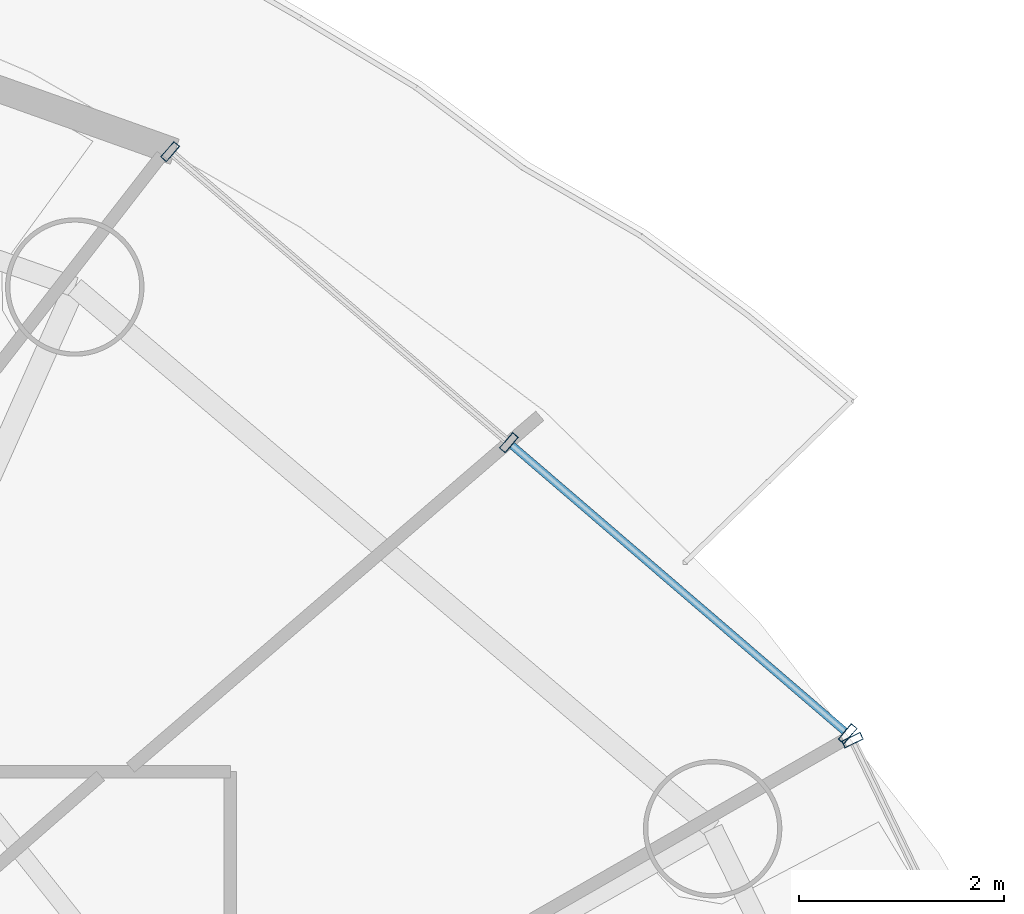
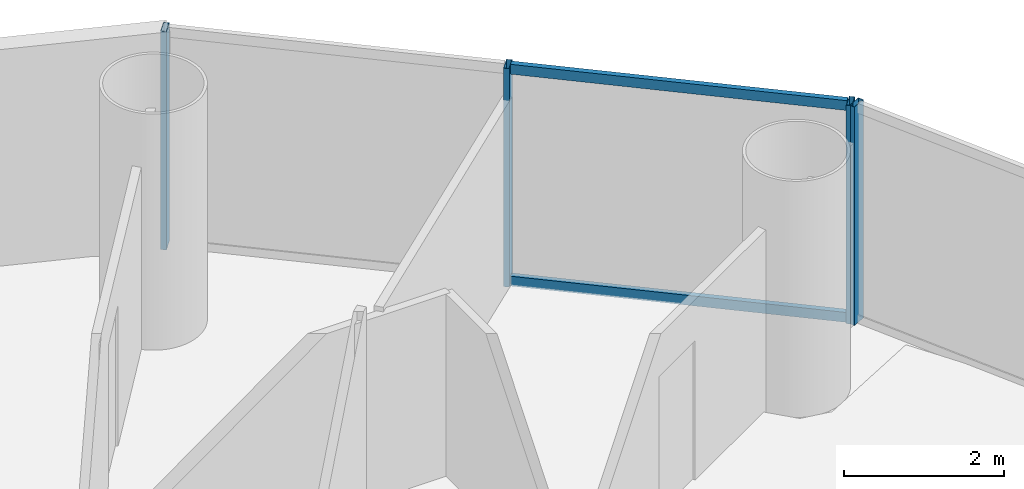
# One storey, part 19 of 27: 6 members, 2 elements without a shape of their own.
"""IFC4 building model written with IfcOpenShell, lengths in metres."""

from ifc_helpers import new_model, si_unit, direction, frame, origin, origin_2d, place, context, subcontext, project, spatial, hollow_rectangle, extrude, source, transform, mapped, material, material_profile, profile_set, type_object, element, aggregate, save


model = new_model("IFC4")

# Units and contexts
model_context = context("Model", 3, precision=1e-05, world=origin(), true_north=direction((-0.2419218956, 0.970295726276)))
body_context = subcontext(model_context, "Body", "Model", "MODEL_VIEW")
ifc_project = project(units=[si_unit("LENGTHUNIT", "METRE"), si_unit("AREAUNIT", "SQUARE_METRE"), si_unit("VOLUMEUNIT", "CUBIC_METRE"), si_unit("PLANEANGLEUNIT", "RADIAN"), si_unit("MASSUNIT", "GRAM", prefix="KILO")], contexts=[model_context])

# Site, building, storey
site_placement = place(None, origin())
site = spatial("IfcSite", under=ifc_project, at=site_placement, CompositionType="ELEMENT")
building_placement = place(site_placement, origin())
building = spatial("IfcBuilding", under=site, at=building_placement, Name="Cobrevalo Terracotta Tower", CompositionType="ELEMENT")
storey_placement = place(building_placement, frame((0.0, 0.0, 160.60009765625)))
storey = spatial("IfcBuildingStorey", under=building, at=storey_placement, Name="L42", CompositionType="ELEMENT", Elevation=160.60009765625)

# Curtain wall, members
ifc_material = material(Name="Anodized aluminium", Category="aluminium")
curtain_wall_type = type_object("IfcCurtainWallType", Name="Mid-tower high-wind unitised curtain wall CW-U2", PredefinedType="NOTDEFINED", material=ifc_material)
curtain_wall_1_placement = place(storey_placement, origin())
curtain_wall_1 = element("IfcCurtainWall", 1, at=curtain_wall_1_placement, inside=storey, type_object=curtain_wall_type, Name="L42 curtain wall CW-L42-S02", PredefinedType="NOTDEFINED")
ifc_material_profile_1 = material_profile(ifc_material, hollow_rectangle(XDim=0.074951171875, YDim=0.14990234375, WallThickness=0.00439453125, at=origin_2d()), Name="CWT 75x150")
ifc_profile_set_1 = profile_set([ifc_material_profile_1], Name="Anodized aluminium")
member_type_1 = type_object("IfcMemberType", Name="Tower unitised aluminium transom 75x150", PredefinedType="USERDEFINED", material=ifc_profile_set_1)
shared_shape_1 = source(origin(), body_context, "Body", "SweptSolid", [
    extrude(hollow_rectangle(XDim=0.074951171875, YDim=0.14990234375, WallThickness=0.00439453125, at=origin_2d()), origin(), (0.0, 0.0, 1.0), 4.276123046875),
])
member_1_placement = place(storey_placement, frame((58.035888671875, 38.391357421875, 0.0498046875), z_axis=(-0.758445941187, 0.65173595443, 0.0), x_axis=(-0.65173595443, -0.758445941187, 0.0)))
member_1 = element("IfcMember", 2, at=member_1_placement, type_object=member_type_1, Name="CW-L42-S02 transom B01-T1", ObjectType="TRANSOM", PredefinedType="USERDEFINED", context=body_context, shape_type="MappedRepresentation", body=[
    mapped(shared_shape_1, transform((0.0, 0.0, 0.0), scale=1.0)),
])
member_2_placement = place(storey_placement, frame((58.035888671875, 38.391357421875, 3.27978515625), z_axis=(-0.758445941187, 0.65173595443, 0.0), x_axis=(-0.65173595443, -0.758445941187, 0.0)))
member_2 = element("IfcMember", 3, at=member_2_placement, type_object=member_type_1, Name="CW-L42-S02 transom B01-T2", ObjectType="TRANSOM", PredefinedType="USERDEFINED", context=body_context, shape_type="MappedRepresentation", body=[
    mapped(shared_shape_1, transform((0.0, 0.0, 0.0), scale=1.0)),
])

# Curtain wall, member
curtain_wall_2_placement = place(storey_placement, origin())
curtain_wall_2 = element("IfcCurtainWall", 4, at=curtain_wall_2_placement, inside=storey, type_object=curtain_wall_type, Name="L42 curtain wall CW-L42-S01", PredefinedType="NOTDEFINED")
ifc_material_profile_2 = material_profile(ifc_material, hollow_rectangle(XDim=0.074951171875, YDim=0.199951171875, WallThickness=0.0048828125, at=origin_2d()), Name="CWM 75x200")
ifc_profile_set_2 = profile_set([ifc_material_profile_2], Name="Anodized aluminium")
member_type_2 = type_object("IfcMemberType", Name="Lower/mid tower unitised mullion 75x200", PredefinedType="MULLION", material=ifc_profile_set_2)
shared_shape_2 = source(origin(), body_context, "Body", "SweptSolid", [
    extrude(hollow_rectangle(XDim=0.074951171875, YDim=0.199951171875, WallThickness=0.0048828125, at=origin_2d()), origin(), (0.0, 0.0, 1.0), 3.329833984375),
])
member_3_placement = place(storey_placement, frame((58.114013671875, 38.30322265625, 0.0), z_axis=(0.0, 0.0, 1.0), x_axis=(-0.434209440271, 0.900811945957, 0.0)))
member_3 = element("IfcMember", 5, at=member_3_placement, type_object=member_type_2, Name="CW-L42-S01 vertical mullion 03", PredefinedType="MULLION", context=body_context, shape_type="MappedRepresentation", body=[
    mapped(shared_shape_2, transform((0.0, 0.0, 0.0), scale=1.0)),
])
aggregate(curtain_wall_2, [member_3])

# Member
member_4_placement = place(storey_placement, frame((58.066162109375, 38.365234375, 0.0), z_axis=(0.0, 0.0, 1.0), x_axis=(-0.758441546142, 0.65174106905, 0.0)))
member_4 = element("IfcMember", 6, at=member_4_placement, type_object=member_type_2, Name="CW-L42-S02 vertical mullion 01", PredefinedType="MULLION", context=body_context, shape_type="MappedRepresentation", body=[
    mapped(shared_shape_2, transform((0.0, 0.0, 0.0), scale=1.0)),
])

member_5_placement = place(storey_placement, frame((54.762451171875, 41.204345703125, 0.0), z_axis=(0.0, 0.0, 1.0), x_axis=(-0.758441546142, 0.65174106905, 0.0)))
member_5 = element("IfcMember", 7, at=member_5_placement, type_object=member_type_2, Name="CW-L42-S02 vertical mullion 02", PredefinedType="MULLION", context=body_context, shape_type="MappedRepresentation", body=[
    mapped(shared_shape_2, transform((0.0, 0.0, 0.0), scale=1.0)),
])

member_6_placement = place(storey_placement, frame((51.45849609375, 44.04345703125, 0.0), z_axis=(0.0, 0.0, 1.0), x_axis=(-0.758441546142, 0.65174106905, 0.0)))
member_6 = element("IfcMember", 8, at=member_6_placement, type_object=member_type_2, Name="CW-L42-S02 vertical mullion 03", PredefinedType="MULLION", context=body_context, shape_type="MappedRepresentation", body=[
    mapped(shared_shape_2, transform((0.0, 0.0, 0.0), scale=1.0)),
])

aggregate(curtain_wall_1, [member_4, member_5, member_6, member_1, member_2])

save(model, "model.ifc")
